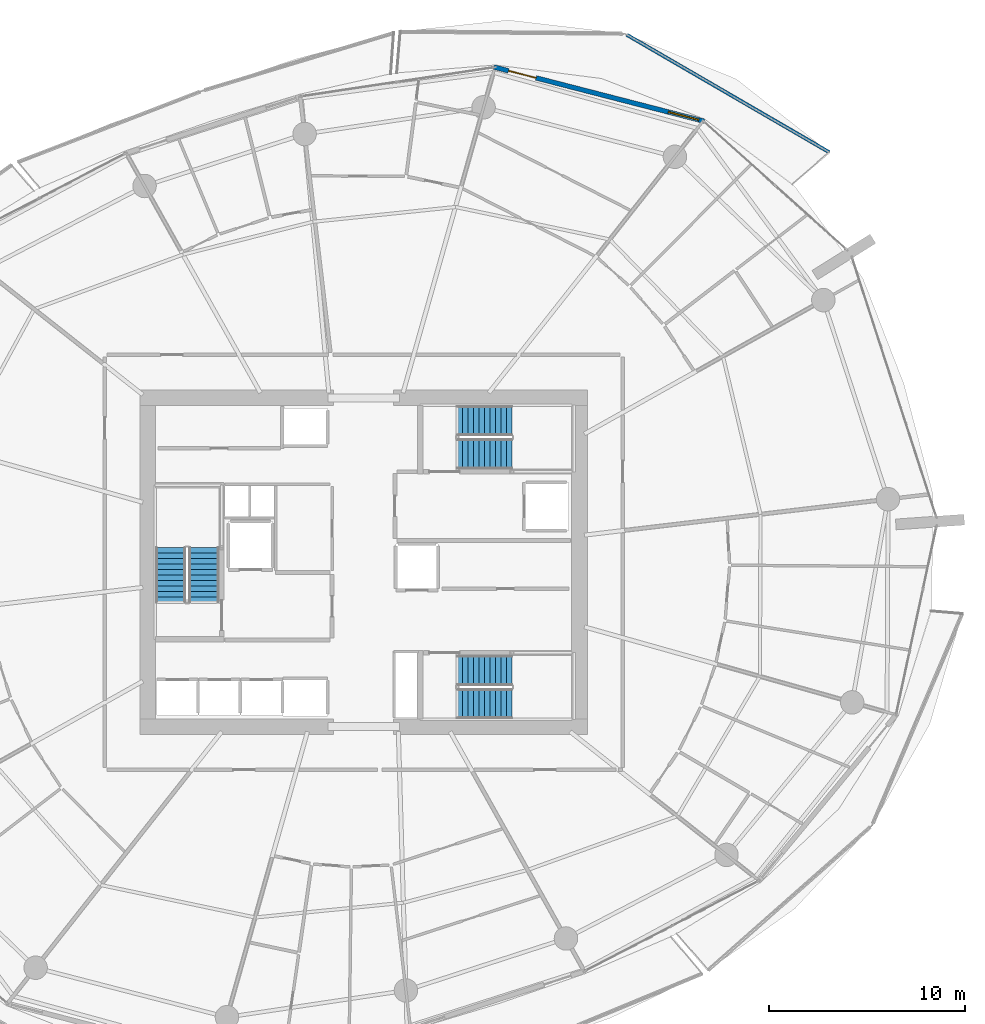
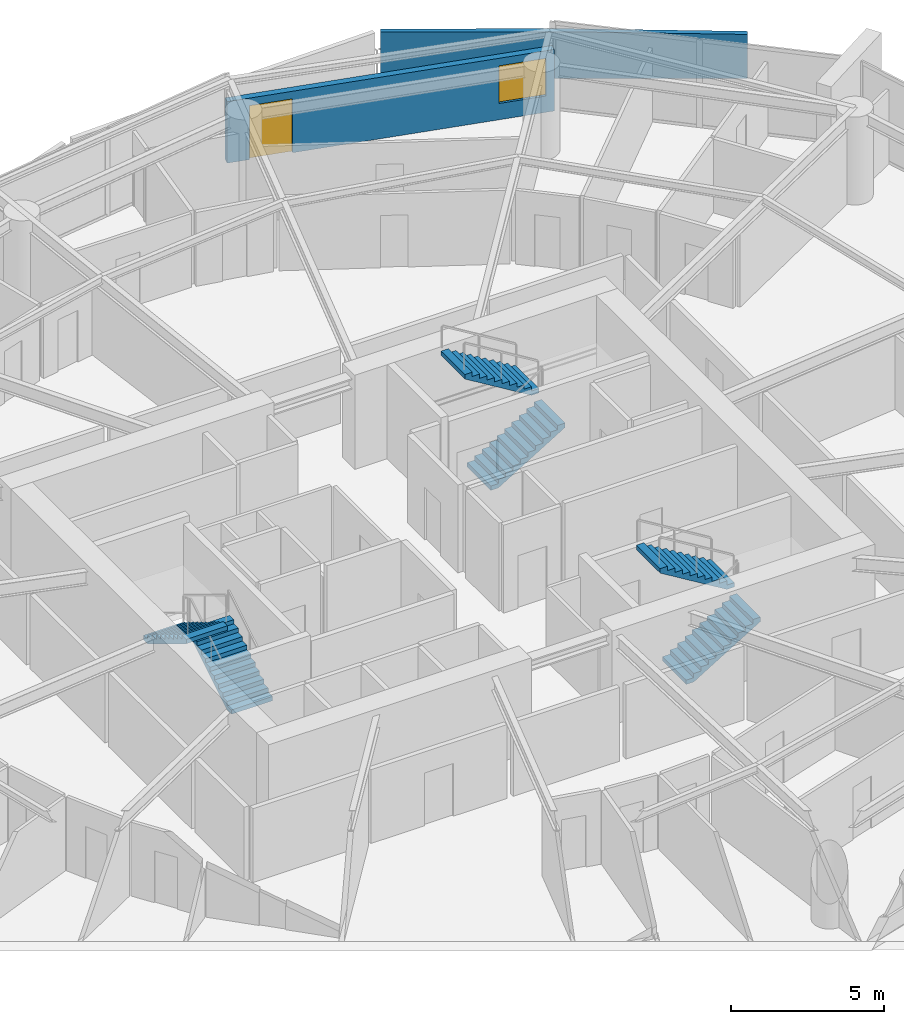
# One storey, part 16 of 23: 6 stair flights, 2 walls, 1 door, 1 window, 2 openings, 3 elements without a shape of their own.
"""IFC4 building model written with IfcOpenShell, lengths in metres."""

from ifc_helpers import new_model, si_unit, direction, frame, frame_2d, origin, place, context, subcontext, project, spatial, polyline, rectangle, outline, extrude, material, layer, layer_set, type_object, element, fill, aggregate, save


model = new_model("IFC4")

# Units and contexts
model_context = context("Model", 3, precision=1e-05, world=origin(), true_north=direction((0.0, 1.0)))
body_context = subcontext(model_context, "Body", "Model", "MODEL_VIEW")
ifc_project = project(units=[si_unit("LENGTHUNIT", "METRE"), si_unit("AREAUNIT", "SQUARE_METRE"), si_unit("VOLUMEUNIT", "CUBIC_METRE"), si_unit("PLANEANGLEUNIT", "RADIAN"), si_unit("MASSUNIT", "GRAM", prefix="KILO")], contexts=[model_context])

# Site, building, storey
site_placement = place(None, origin())
site = spatial("IfcSite", under=ifc_project, at=site_placement, CompositionType="ELEMENT")
building_placement = place(site_placement, origin())
building = spatial("IfcBuilding", under=site, at=building_placement, Name="Kazma Halo Residences", CompositionType="ELEMENT")
storey_placement = place(building_placement, frame((0.0, 0.0, 101.39990234375)))
storey = spatial("IfcBuildingStorey", under=building, at=storey_placement, Name="L25", CompositionType="ELEMENT", Elevation=101.39990234375)

# Wall
ifc_material_1 = material(Name="White Concrete C50/60 Balustrade", Category="concrete")
ifc_layer_1 = layer(ifc_material_1, 0.179931640625)
ifc_layer_set_1 = layer_set([ifc_layer_1], Name="White Concrete C50/60 Balustrade")
wall_type_1 = type_object("IfcWallType", Name="WL-BAL-WAVE-180", PredefinedType="PARAPET", material=ifc_layer_set_1)
wall_1_placement = place(storey_placement, frame((72.210693359375, 62.93505859375, 0.0), z_axis=(0.0, 0.0, 1.0), x_axis=(-0.864945812977, 0.501865261413, 0.0)))
element("IfcWall", 1, at=wall_1_placement, inside=storey, type_object=wall_type_1, Name="L25 white wave balustrade wall NE.1", PredefinedType="PARAPET", context=body_context, shape_type="SweptSolid", body=[
    extrude(outline(polyline([(0.0, 0.0), (11.965576171875, 0.0), (11.965576171875, 1.83203125), (5.98291015625, 1.85302734375), (0.0, 1.756103515625), (0.0, 0.0)])), frame((0.0, 0.08984375, 0.0), z_axis=(0.0, -1.0, 0.0), x_axis=(1.0, 0.0, 0.0)), (0.0, 0.0, 1.0), 0.179931640625),
])

# Wall, openings, door, window
ifc_material_2 = material(Name="Insulated Pale-Metal Composite Wall")
ifc_layer_2 = layer(ifc_material_2, 0.239990234375)
ifc_layer_set_2 = layer_set([ifc_layer_2], Name="Insulated Pale-Metal Composite Wall")
wall_type_2 = type_object("IfcWallType", Name="WL-EXT-HOST-240", PredefinedType="SOLIDWALL", material=ifc_layer_set_2)
wall_2_placement = place(storey_placement, frame((65.81396484375, 64.52294921875, 0.0), z_axis=(0.0, 0.0, 1.0), x_axis=(-0.968356180858, 0.249572248045, 0.0)))
wall_2 = element("IfcWall", 2, at=wall_2_placement, inside=storey, type_object=wall_type_2, Name="L25 exterior terrace-access wall B02", PredefinedType="SOLIDWALL", context=body_context, shape_type="SweptSolid", body=[
    extrude(rectangle(XDim=11.08447265625, YDim=0.239990234375, at=frame_2d((5.542236328125, 0.0))), origin(), (0.0, 0.0, 1.0), 2.4501953125),
])
opening_1_placement = place(wall_2_placement, frame((8.864501953125, 0.0, 0.0)))
opening_1 = element("IfcOpeningElement", 3, at=opening_1_placement, cuts=wall_2, Name="Opening DTR-1600", PredefinedType="OPENING", context=body_context, shape_type="SweptSolid", body=[
    extrude(rectangle(XDim=1.449951171875, YDim=2.14990234375, at=frame_2d((0.72509765625, 1.074951171875))), frame((0.0, 0.1298828125, 0.0), z_axis=(0.0, -1.0, 0.0), x_axis=(1.0, 0.0, 0.0)), (0.0, 0.0, 1.0), 0.260009765625),
])
opening_2_placement = place(wall_2_placement, frame((0.280029296875, 0.0, 0.64990234375)))
opening_2 = element("IfcOpeningElement", 4, at=opening_2_placement, cuts=wall_2, Name="Opening W-1800", PredefinedType="OPENING", context=body_context, shape_type="SweptSolid", body=[
    extrude(rectangle(XDim=1.60009765625, YDim=1.5, at=frame_2d((0.800048828125, 0.75))), frame((0.0, 0.1298828125, 0.0), z_axis=(0.0, -1.0, 0.0), x_axis=(1.0, 0.0, 0.0)), (0.0, 0.0, 1.0), 0.260009765625),
])
ifc_material_3 = material(Name="Aluminium AW-6063 T6 Double-Glazed Terrace Door", Category="aluminium")
door_type = type_object("IfcDoorType", Name="DR-EXT-TERR-1600", OperationType="NOTDEFINED", PredefinedType="DOOR", material=ifc_material_3)
door_placement = place(opening_1_placement, origin())
door = element("IfcDoor", 5, at=door_placement, inside=storey, type_object=door_type, Name="L25 B02 balcony terrace door", OperationType="DOUBLE_DOOR_SLIDING", OverallHeight=2.14990234375, OverallWidth=1.449951171875, PredefinedType="DOOR", context=body_context, shape_type="SweptSolid", body=[
    extrude(rectangle(XDim=1.449951171875, YDim=2.14990234375, at=frame_2d((0.72509765625, 1.074951171875))), frame((0.0, 0.02490234375, 0.0), z_axis=(0.0, -1.0, 0.0), x_axis=(1.0, 0.0, 0.0)), (0.0, 0.0, 1.0), 0.050048828125),
])
fill(opening_1, door)
ifc_material_4 = material(Name="Clear Triple-Silver Low-E Glass in Aluminium AW-6063 T6 Frame", Category="aluminium")
window_type = type_object("IfcWindowType", Name="WIN-RES-1800", PartitioningType="DOUBLE_PANEL_VERTICAL", PredefinedType="WINDOW", material=ifc_material_4)
window_placement = place(opening_2_placement, origin())
window = element("IfcWindow", 6, at=window_placement, inside=storey, type_object=window_type, Name="L25 B02 apartment window", OverallHeight=1.5, OverallWidth=1.60009765625, PartitioningType="SINGLE_PANEL", PredefinedType="WINDOW", context=body_context, shape_type="SweptSolid", body=[
    extrude(rectangle(XDim=1.60009765625, YDim=1.5, at=frame_2d((0.800048828125, 0.75))), frame((0.0, 0.030029296875, 0.0), z_axis=(0.0, -1.0, 0.0), x_axis=(1.0, 0.0, 0.0)), (0.0, 0.0, 1.0), 0.06005859375),
])
fill(opening_2, window)

# Stair, stair flights
ifc_material_5 = material(Name="Concrete C50/60", Category="concrete")
stair_type = type_object("IfcStairType", Name="STR-RES1", PredefinedType="HALF_TURN_STAIR", material=ifc_material_5)
stair_1_placement = place(storey_placement, origin())
stair_1 = element("IfcStair", 7, at=stair_1_placement, inside=storey, type_object=stair_type, Name="L25 Core exit stair ST-01", PredefinedType="HALF_TURN_STAIR")
stair_flight_type = type_object("IfcStairFlightType", Name="STR-RES1-FLT", PredefinedType="STRAIGHT", material=ifc_material_5)
stair_flight_1_placement = place(storey_placement, frame((40.27490234375, 39.949951171875, 0.0), z_axis=(0.0, 0.0, 1.0), x_axis=(0.0, 1.0, 0.0)))
stair_flight_1 = element("IfcStairFlight", 8, at=stair_flight_1_placement, type_object=stair_flight_type, Name="ST-01 flight 1", NumberOfRisers=11, NumberOfTreads=10, PredefinedType="STRAIGHT", RiserHeight=0.170454545, TreadLength=0.28, context=body_context, shape_type="SweptSolid", body=[
    extrude(outline(polyline([(0.0, 0.0), (0.0, 0.17041015625), (0.280029296875, 0.17041015625), (0.280029296875, 0.3408203125), (0.56005859375, 0.3408203125), (0.56005859375, 0.511474609375), (0.840087890625, 0.511474609375), (0.840087890625, 0.681884765625), (1.1201171875, 0.681884765625), (1.1201171875, 0.852294921875), (1.39990234375, 0.852294921875), (1.39990234375, 1.022705078125), (1.679931640625, 1.022705078125), (1.679931640625, 1.193115234375), (1.9599609375, 1.193115234375), (1.9599609375, 1.363525390625), (2.239990234375, 1.363525390625), (2.239990234375, 1.5341796875), (2.52001953125, 1.5341796875), (2.52001953125, 1.70458984375), (2.800048828125, 1.70458984375), (2.800048828125, 1.875), (2.800048828125, 1.529052734375), (0.288330078125, 0.0), (0.0, 0.0)])), frame((0.0, 0.77490234375, 0.0), z_axis=(0.0, -1.0, 0.0), x_axis=(1.0, 0.0, 0.0)), (0.0, 0.0, 1.0), 1.550048828125),
])
stair_flight_2_placement = place(storey_placement, frame((38.574951171875, 42.75, 1.875), z_axis=(0.0, 0.0, 1.0), x_axis=(0.0, -1.0, 0.0)))
stair_flight_2 = element("IfcStairFlight", 9, at=stair_flight_2_placement, type_object=stair_flight_type, Name="ST-01 flight 2", NumberOfRisers=11, NumberOfTreads=10, PredefinedType="STRAIGHT", RiserHeight=0.170454545, TreadLength=0.28, context=body_context, shape_type="SweptSolid", body=[
    extrude(outline(polyline([(0.0, 0.0), (0.0, 0.17041015625), (0.280029296875, 0.17041015625), (0.280029296875, 0.3408203125), (0.56005859375, 0.3408203125), (0.56005859375, 0.511474609375), (0.840087890625, 0.511474609375), (0.840087890625, 0.681884765625), (1.1201171875, 0.681884765625), (1.1201171875, 0.852294921875), (1.39990234375, 0.852294921875), (1.39990234375, 1.022705078125), (1.679931640625, 1.022705078125), (1.679931640625, 1.193115234375), (1.9599609375, 1.193115234375), (1.9599609375, 1.363525390625), (2.239990234375, 1.363525390625), (2.239990234375, 1.5341796875), (2.52001953125, 1.5341796875), (2.52001953125, 1.70458984375), (2.800048828125, 1.70458984375), (2.800048828125, 1.875), (2.800048828125, 1.529052734375), (0.288330078125, 0.0), (0.0, 0.0)])), frame((0.0, 0.77490234375, 0.0), z_axis=(0.0, -1.0, 0.0), x_axis=(1.0, 0.0, 0.0)), (0.0, 0.0, 1.0), 1.550048828125),
])
aggregate(stair_1, [stair_flight_1, stair_flight_2])

stair_2_placement = place(storey_placement, origin())
stair_2 = element("IfcStair", 10, at=stair_2_placement, inside=storey, type_object=stair_type, Name="L25 Core exit stair ST-02", PredefinedType="HALF_TURN_STAIR")
stair_flight_3_placement = place(storey_placement, frame((53.199951171875, 47.52490234375, 0.0), z_axis=(0.0, 0.0, 1.0), x_axis=(1.0, 0.0, 0.0)))
stair_flight_3 = element("IfcStairFlight", 11, at=stair_flight_3_placement, type_object=stair_flight_type, Name="ST-02 flight 1", NumberOfRisers=11, NumberOfTreads=10, PredefinedType="STRAIGHT", RiserHeight=0.170454545, TreadLength=0.28, context=body_context, shape_type="SweptSolid", body=[
    extrude(outline(polyline([(0.0, 0.0), (0.0, 0.17041015625), (0.280029296875, 0.17041015625), (0.280029296875, 0.3408203125), (0.56005859375, 0.3408203125), (0.56005859375, 0.511474609375), (0.840087890625, 0.511474609375), (0.840087890625, 0.681884765625), (1.1201171875, 0.681884765625), (1.1201171875, 0.852294921875), (1.39990234375, 0.852294921875), (1.39990234375, 1.022705078125), (1.679931640625, 1.022705078125), (1.679931640625, 1.193115234375), (1.9599609375, 1.193115234375), (1.9599609375, 1.363525390625), (2.239990234375, 1.363525390625), (2.239990234375, 1.5341796875), (2.52001953125, 1.5341796875), (2.52001953125, 1.70458984375), (2.800048828125, 1.70458984375), (2.800048828125, 1.875), (2.800048828125, 1.529052734375), (0.288330078125, 0.0), (0.0, 0.0)])), frame((0.0, 0.77490234375, 0.0), z_axis=(0.0, -1.0, 0.0), x_axis=(1.0, 0.0, 0.0)), (0.0, 0.0, 1.0), 1.550048828125),
])
stair_flight_4_placement = place(storey_placement, frame((56.0, 49.22509765625, 1.875), z_axis=(0.0, 0.0, 1.0), x_axis=(-1.0, 0.0, 0.0)))
stair_flight_4 = element("IfcStairFlight", 12, at=stair_flight_4_placement, type_object=stair_flight_type, Name="ST-02 flight 2", NumberOfRisers=11, NumberOfTreads=10, PredefinedType="STRAIGHT", RiserHeight=0.170454545, TreadLength=0.28, context=body_context, shape_type="SweptSolid", body=[
    extrude(outline(polyline([(0.0, 0.0), (0.0, 0.17041015625), (0.280029296875, 0.17041015625), (0.280029296875, 0.3408203125), (0.56005859375, 0.3408203125), (0.56005859375, 0.511474609375), (0.840087890625, 0.511474609375), (0.840087890625, 0.681884765625), (1.1201171875, 0.681884765625), (1.1201171875, 0.852294921875), (1.39990234375, 0.852294921875), (1.39990234375, 1.022705078125), (1.679931640625, 1.022705078125), (1.679931640625, 1.193115234375), (1.9599609375, 1.193115234375), (1.9599609375, 1.363525390625), (2.239990234375, 1.363525390625), (2.239990234375, 1.5341796875), (2.52001953125, 1.5341796875), (2.52001953125, 1.70458984375), (2.800048828125, 1.70458984375), (2.800048828125, 1.875), (2.800048828125, 1.529052734375), (0.288330078125, 0.0), (0.0, 0.0)])), frame((0.0, 0.77490234375, 0.0), z_axis=(0.0, -1.0, 0.0), x_axis=(1.0, 0.0, 0.0)), (0.0, 0.0, 1.0), 1.550048828125),
])
aggregate(stair_2, [stair_flight_3, stair_flight_4])

stair_3_placement = place(storey_placement, origin())
stair_3 = element("IfcStair", 13, at=stair_3_placement, inside=storey, type_object=stair_type, Name="L25 Core exit stair ST-03", PredefinedType="HALF_TURN_STAIR")
stair_flight_5_placement = place(storey_placement, frame((53.199951171875, 34.77490234375, 0.0), z_axis=(0.0, 0.0, 1.0), x_axis=(1.0, 0.0, 0.0)))
stair_flight_5 = element("IfcStairFlight", 14, at=stair_flight_5_placement, type_object=stair_flight_type, Name="ST-03 flight 1", NumberOfRisers=11, NumberOfTreads=10, PredefinedType="STRAIGHT", RiserHeight=0.170454545, TreadLength=0.28, context=body_context, shape_type="SweptSolid", body=[
    extrude(outline(polyline([(0.0, 0.0), (0.0, 0.17041015625), (0.280029296875, 0.17041015625), (0.280029296875, 0.3408203125), (0.56005859375, 0.3408203125), (0.56005859375, 0.511474609375), (0.840087890625, 0.511474609375), (0.840087890625, 0.681884765625), (1.1201171875, 0.681884765625), (1.1201171875, 0.852294921875), (1.39990234375, 0.852294921875), (1.39990234375, 1.022705078125), (1.679931640625, 1.022705078125), (1.679931640625, 1.193115234375), (1.9599609375, 1.193115234375), (1.9599609375, 1.363525390625), (2.239990234375, 1.363525390625), (2.239990234375, 1.5341796875), (2.52001953125, 1.5341796875), (2.52001953125, 1.70458984375), (2.800048828125, 1.70458984375), (2.800048828125, 1.875), (2.800048828125, 1.529052734375), (0.288330078125, 0.0), (0.0, 0.0)])), frame((0.0, 0.77490234375, 0.0), z_axis=(0.0, -1.0, 0.0), x_axis=(1.0, 0.0, 0.0)), (0.0, 0.0, 1.0), 1.550048828125),
])
stair_flight_6_placement = place(storey_placement, frame((56.0, 36.47509765625, 1.875), z_axis=(0.0, 0.0, 1.0), x_axis=(-1.0, 0.0, 0.0)))
stair_flight_6 = element("IfcStairFlight", 15, at=stair_flight_6_placement, type_object=stair_flight_type, Name="ST-03 flight 2", NumberOfRisers=11, NumberOfTreads=10, PredefinedType="STRAIGHT", RiserHeight=0.170454545, TreadLength=0.28, context=body_context, shape_type="SweptSolid", body=[
    extrude(outline(polyline([(0.0, 0.0), (0.0, 0.17041015625), (0.280029296875, 0.17041015625), (0.280029296875, 0.3408203125), (0.56005859375, 0.3408203125), (0.56005859375, 0.511474609375), (0.840087890625, 0.511474609375), (0.840087890625, 0.681884765625), (1.1201171875, 0.681884765625), (1.1201171875, 0.852294921875), (1.39990234375, 0.852294921875), (1.39990234375, 1.022705078125), (1.679931640625, 1.022705078125), (1.679931640625, 1.193115234375), (1.9599609375, 1.193115234375), (1.9599609375, 1.363525390625), (2.239990234375, 1.363525390625), (2.239990234375, 1.5341796875), (2.52001953125, 1.5341796875), (2.52001953125, 1.70458984375), (2.800048828125, 1.70458984375), (2.800048828125, 1.875), (2.800048828125, 1.529052734375), (0.288330078125, 0.0), (0.0, 0.0)])), frame((0.0, 0.77490234375, 0.0), z_axis=(0.0, -1.0, 0.0), x_axis=(1.0, 0.0, 0.0)), (0.0, 0.0, 1.0), 1.550048828125),
])
aggregate(stair_3, [stair_flight_5, stair_flight_6])

save(model, "model.ifc")
